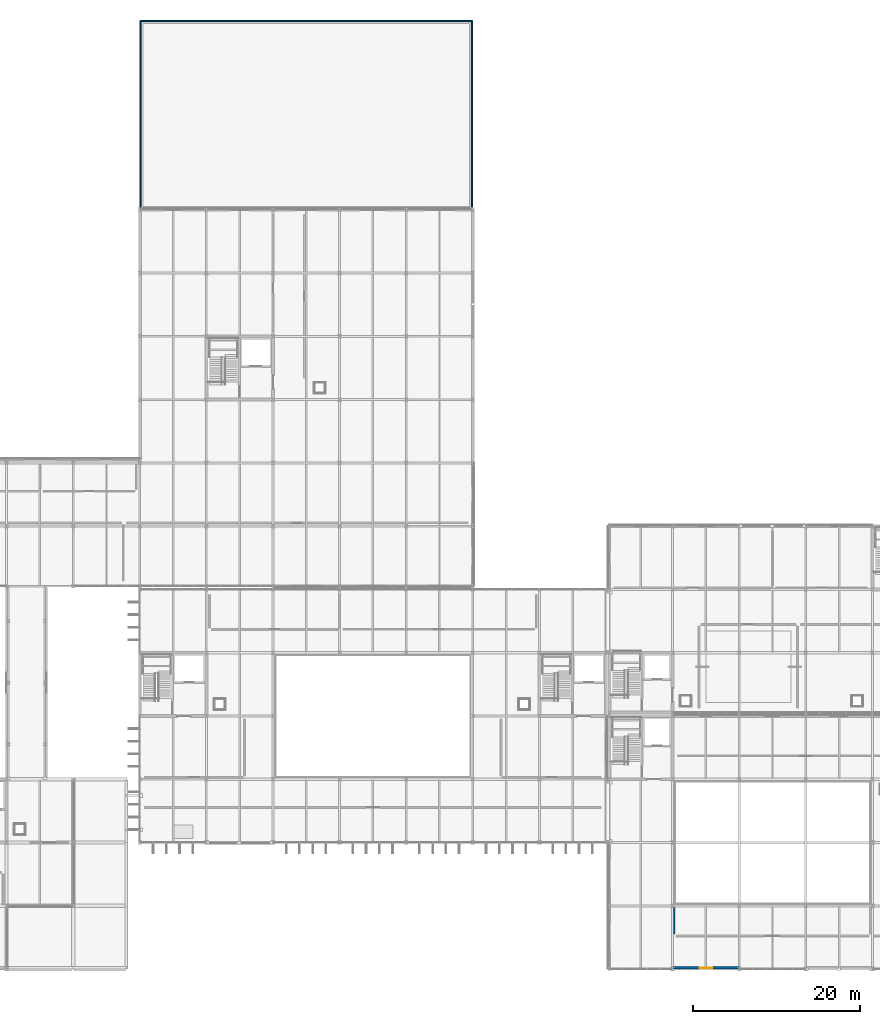
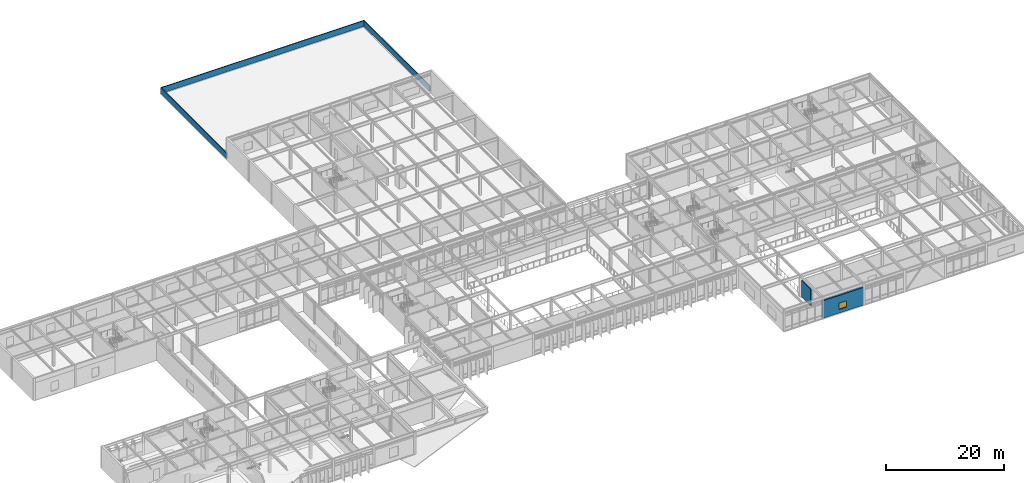
# One storey, part 87 of 104: 5 walls, 1 window, 1 opening.
"""IFC4 building model written with IfcOpenShell, lengths in metres."""

import ifcopenshell
import ifcopenshell.guid

model = None  # the IFC model being written
_history = None  # IfcOwnerHistory: only IFC2X3 demands one
_inside = {}  # id of a spatial element -> (the spatial element, [elements in it])
_under = {}  # id of a project, library or spatial element -> (it, [spatial elements below it])
_declared = {}  # id of a project -> (the project, [libraries it declares])
_typed = {}  # id of a type object -> (the type object, [elements of that type])
_made_of = {}  # id of a material, layer set ... -> (it, [elements and type objects made of it])


def new_model(schema):
    """Start an empty IFC model of exactly this schema.

    Asked for "IFC4X3", IfcOpenShell would pick the latest addendum, in which some entities
    have other attributes; the version numbers below select the first issue.
    IFC2X3 requires an IfcOwnerHistory on every rooted entity: one is made here for all.
    """
    global model, _history
    if schema == "IFC4X3":
        model = ifcopenshell.file(schema_version=(4, 3, 0, 0))
    else:
        model = ifcopenshell.file(schema=schema)
    _inside.clear()
    _under.clear()
    _declared.clear()
    _typed.clear()
    _made_of.clear()
    _history = None
    if model.schema == "IFC2X3":
        org = make("IfcOrganization", Name="unknown")
        user = make(
            "IfcPersonAndOrganization",
            ThePerson=make("IfcPerson", FamilyName="unknown"),
            TheOrganization=org,
        )
        app = make(
            "IfcApplication",
            ApplicationDeveloper=org,
            Version="unknown",
            ApplicationFullName="unknown",
            ApplicationIdentifier="unknown",
        )
        _history = make(
            "IfcOwnerHistory",
            OwningUser=user,
            OwningApplication=app,
            ChangeAction="ADDED",
            CreationDate=0,
        )
    return model


def make(cls, **values):
    """One entity of the class cls with the attributes given. An attribute that is None is left unset."""
    return model.create_entity(
        cls, **{name: value for name, value in values.items() if value is not None}
    )


def rooted(cls, **values):
    """An entity with a GlobalId (a new one), such as an element, a storey or a relation."""
    return make(cls, GlobalId=ifcopenshell.guid.new(), OwnerHistory=_history, **values)


def si_unit(unit_type, name, prefix=None):
    """IfcSIUnit, for example si_unit("LENGTHUNIT", "METRE", prefix="MILLI")."""
    return make("IfcSIUnit", UnitType=unit_type, Prefix=prefix, Name=name)


def assignment(units):
    """IfcUnitAssignment: the units of a project."""
    return None if units is None else make("IfcUnitAssignment", Units=units)


def point(xyz):
    """IfcCartesianPoint."""
    return None if xyz is None else make("IfcCartesianPoint", Coordinates=xyz)


def direction(xyz):
    """IfcDirection."""
    return None if xyz is None else make("IfcDirection", DirectionRatios=xyz)


def frame(location, z_axis=None, x_axis=None):
    """IfcAxis2Placement3D, a coordinate frame: its origin and axes. An axis left out is left unset."""
    return make(
        "IfcAxis2Placement3D",
        Location=point(location),
        Axis=direction(z_axis),
        RefDirection=direction(x_axis),
    )


def frame_2d(location, x_axis=None):
    """IfcAxis2Placement2D, a coordinate frame in the plane: its origin and x axis."""
    return make(
        "IfcAxis2Placement2D", Location=point(location), RefDirection=direction(x_axis)
    )


def origin():
    """The frame at (0, 0, 0) with its axes left unset."""
    return frame((0.0, 0.0, 0.0))


def place(relative_to, where):
    """IfcLocalPlacement: puts the frame where relative to a parent placement (None: the world)."""
    return make(
        "IfcLocalPlacement", PlacementRelTo=relative_to, RelativePlacement=where
    )


def context(
    kind, dimensions, precision=None, world=None, true_north=None, identifier=None
):
    """IfcGeometricRepresentationContext, for example the 3D "Model" context."""
    return make(
        "IfcGeometricRepresentationContext",
        ContextIdentifier=identifier,
        ContextType=kind,
        CoordinateSpaceDimension=dimensions,
        Precision=precision,
        WorldCoordinateSystem=world,
        TrueNorth=true_north,
    )


def subcontext(parent, identifier, kind, view, scale=None):
    """IfcGeometricRepresentationSubContext, for example "Body" below "Model"."""
    return make(
        "IfcGeometricRepresentationSubContext",
        ContextIdentifier=identifier,
        ContextType=kind,
        ParentContext=parent,
        TargetScale=scale,
        TargetView=view,
    )


def project(units=None, contexts=None):
    """IfcProject with its units and contexts."""
    return rooted(
        "IfcProject",
        Name="project",
        RepresentationContexts=contexts,
        UnitsInContext=assignment(units),
    )


def spatial(cls, under=None, at=None, **own):
    """A site, building, storey or space (cls), placed at a placement, below another one or the project."""
    s = rooted(cls, ObjectPlacement=at, **own)
    if under is not None:
        _under.setdefault(under.id(), (under, []))[1].append(s)
    return s


def profile(cls, at=None, kind="AREA", **sizes):
    """A parametric profile (cls). Its sizes go by their IFC names, for example OverallWidth=200.0."""
    return make(cls, ProfileType=kind, Position=at, **sizes)


def rectangle(**sizes):
    """IfcRectangleProfileDef."""
    return profile("IfcRectangleProfileDef", **sizes)


def extrude(swept, where, along, depth):
    """IfcExtrudedAreaSolid: the profile swept, set in the frame where, extruded along a direction by depth."""
    return make(
        "IfcExtrudedAreaSolid",
        SweptArea=swept,
        Position=where,
        ExtrudedDirection=direction(along),
        Depth=depth,
    )


def shape(context_of_items, identifier, shape_type, items):
    """IfcShapeRepresentation: the items that make up one representation, for example the "Body"."""
    return make(
        "IfcShapeRepresentation",
        ContextOfItems=context_of_items,
        RepresentationIdentifier=identifier,
        RepresentationType=shape_type,
        Items=items,
    )


def material(Name=None, Category=None):
    """IfcMaterial."""
    return make("IfcMaterial", Name=Name, Category=Category)


def layer(
    of_material, thickness, ventilated=None, Name=None, Category=None, Priority=None
):
    """IfcMaterialLayer: one layer of a wall or slab, of a material (None: an air gap)."""
    return make(
        "IfcMaterialLayer",
        Material=of_material,
        LayerThickness=thickness,
        IsVentilated=ventilated,
        Name=Name,
        Category=Category,
        Priority=Priority,
    )


def layer_set(layers, Name=None):
    """IfcMaterialLayerSet."""
    return make("IfcMaterialLayerSet", MaterialLayers=layers, LayerSetName=Name)


def made_of(thing, what):
    """Note that an element or type object is made of a material, layer set ...; save() writes the relation."""
    if what is not None:
        _made_of.setdefault(what.id(), (what, []))[1].append(thing)
    return thing


def type_object(cls, material=None, **own):
    """A type object (cls), such as IfcWallType, which elements share."""
    return made_of(rooted(cls, **own), material)


def element(
    cls,
    number,
    at=None,
    inside=None,
    cuts=None,
    type_object=None,
    material=None,
    context=None,
    identifier="Body",
    shape_type=None,
    held_by="IfcProductDefinitionShape",
    body=None,
    shapes=None,
    **own,
):
    """One element of the class cls, such as IfcWall. Its Tag is "e" and its number.

    at: its placement. inside: the storey or other place that contains it. cuts: it is an
    opening in that element (IfcRelVoidsElement). A single representation is given by context,
    identifier, shape_type and body (its items); several are given by shapes. held_by: the class
    of the entity that holds the representations. save() writes the other relations.
    """
    e = rooted(cls, Tag="e%d" % number, ObjectPlacement=at, **own)
    if body is not None:
        shapes = [shape(context, identifier, shape_type, body)]
    if shapes is not None:
        e.Representation = make(held_by, Representations=shapes)
    if inside is not None:
        _inside.setdefault(inside.id(), (inside, []))[1].append(e)
    if cuts is not None:
        rooted(
            "IfcRelVoidsElement", RelatingBuildingElement=cuts, RelatedOpeningElement=e
        )
    if type_object is not None:
        _typed.setdefault(type_object.id(), (type_object, []))[1].append(e)
    return made_of(e, material)


def fill(opening, filler):
    """IfcRelFillsElement: the door or window that sits in an opening."""
    return rooted(
        "IfcRelFillsElement",
        RelatingOpeningElement=opening,
        RelatedBuildingElement=filler,
    )


def aggregate(whole, parts):
    """IfcRelAggregates: a whole, such as a stair, and the parts it consists of."""
    return rooted("IfcRelAggregates", RelatingObject=whole, RelatedObjects=parts)


def save(model, path):
    """Write the relations noted so far, then the file.

    IfcRelAggregates (storeys below a building ...), IfcRelContainedInSpatialStructure (elements
    in a storey), IfcRelDefinesByType, IfcRelAssociatesMaterial and IfcRelDeclares: one each for
    every whole, place, type object, material and project.
    """
    for whole, parts in _under.values():
        aggregate(whole, parts)
    for where, things in _inside.values():
        rooted(
            "IfcRelContainedInSpatialStructure",
            RelatedElements=things,
            RelatingStructure=where,
        )
    for kind, things in _typed.values():
        rooted("IfcRelDefinesByType", RelatedObjects=things, RelatingType=kind)
    for what, things in _made_of.values():
        rooted("IfcRelAssociatesMaterial", RelatedObjects=things, RelatingMaterial=what)
    for by, libraries in _declared.values():
        rooted("IfcRelDeclares", RelatingContext=by, RelatedDefinitions=libraries)
    model.write(path)


model = new_model("IFC4")

# Units and contexts
model_context = context("Model", 3, precision=1e-05, world=origin(), true_north=direction((0.0, 1.0)))
body_context = subcontext(model_context, "Body", "Model", "MODEL_VIEW")
ifc_project = project(units=[si_unit("LENGTHUNIT", "METRE"), si_unit("AREAUNIT", "SQUARE_METRE"), si_unit("VOLUMEUNIT", "CUBIC_METRE"), si_unit("PLANEANGLEUNIT", "RADIAN"), si_unit("MASSUNIT", "GRAM", prefix="KILO")], contexts=[model_context])

# Site, building, storey
site_placement = place(None, origin())
site = spatial("IfcSite", under=ifc_project, at=site_placement, CompositionType="ELEMENT")
building_placement = place(site_placement, origin())
building = spatial("IfcBuilding", under=site, at=building_placement, Name="Zulena Civic Courthouse", CompositionType="ELEMENT")
storey_placement = place(building_placement, frame((0.0, 0.0, 10.800048828125)))
storey = spatial("IfcBuildingStorey", under=building, at=storey_placement, Name="L02", CompositionType="ELEMENT", Elevation=10.800048828125)

# Wall, opening, window
ifc_material_1 = material(Name="Terracotta-rose architectural precast concrete C40/50", Category="masonry")
ifc_layer_1 = layer(ifc_material_1, 0.320068359375)
ifc_layer_set_1 = layer_set([ifc_layer_1], Name="Terracotta-rose architectural precast concrete C40/50")
wall_type_1 = type_object("IfcWallType", Name="ExtWall_TerraPrecast_320", PredefinedType="STANDARD", material=ifc_layer_set_1)
wall_1_placement = place(storey_placement, frame((140.02001953125, 0.159912109375, 0.0), z_axis=(0.0, 0.0, 1.0), x_axis=(-1.0, 0.0, 0.0)))
wall_1 = element("IfcWall", 1, at=wall_1_placement, inside=storey, type_object=wall_type_1, Name="ewall:V1:L02:3:4", PredefinedType="STANDARD", context=body_context, shape_type="SweptSolid", body=[
    extrude(rectangle(XDim=8.0400390625, YDim=0.320068359375, at=frame_2d((4.02001953125, 0.0))), origin(), (0.0, 0.0, 1.0), 3.659912109375),
])
opening_placement = place(wall_1_placement, frame((3.27001953125, 0.0, 0.75)))
opening = element("IfcOpeningElement", 2, at=opening_placement, cuts=wall_1, Name="Opening WN30", PredefinedType="OPENING", context=body_context, shape_type="SweptSolid", body=[
    extrude(rectangle(XDim=1.5, YDim=1.300048828125, at=frame_2d((0.75, 0.64990234375))), frame((0.0, 0.169921875, 0.0), z_axis=(0.0, -1.0, 0.0), x_axis=(1.0, 0.0, 0.0)), (0.0, 0.0, 1.0), 0.340087890625),
])
ifc_material_2 = material(Name="Double-silver low-E laminated solar-control glass", Category="glass")
window_type = type_object("IfcWindowType", Name="Win_1500x1300", PartitioningType="SINGLE_PANEL", PredefinedType="WINDOW", material=ifc_material_2)
window_placement = place(opening_placement, origin())
window = element("IfcWindow", 3, at=window_placement, inside=storey, type_object=window_type, Name="win:V1:L02:3:4", OverallHeight=1.300048828125, OverallWidth=1.5, PartitioningType="SINGLE_PANEL", PredefinedType="WINDOW", context=body_context, shape_type="SweptSolid", body=[
    extrude(rectangle(XDim=1.5, YDim=1.300048828125, at=frame_2d((0.75, 0.64990234375))), frame((0.0, 0.030029296875, 0.0), z_axis=(0.0, -1.0, 0.0), x_axis=(1.0, 0.0, 0.0)), (0.0, 0.0, 1.0), 0.06005859375),
])
fill(opening, window)

# Walls
ifc_material_3 = material(Name="Buff architectural precast concrete C40/50", Category="concrete")
ifc_layer_2 = layer(ifc_material_3, 0.169921875)
ifc_layer_set_2 = layer_set([ifc_layer_2], Name="Buff architectural precast concrete C40/50")
wall_type_2 = type_object("IfcWallType", Name="Parapet_Buff_170", PredefinedType="PARAPET", material=ifc_layer_set_2)
wall_2_placement = place(storey_placement, frame((68.10009765625, 91.5, 0.0), z_axis=(0.0, 0.0, 1.0), x_axis=(0.0, 1.0, 0.0)))
element("IfcWall", 4, at=wall_2_placement, inside=storey, type_object=wall_type_2, Name="parapet:V5SP:0", PredefinedType="PARAPET", context=body_context, shape_type="SweptSolid", body=[
    extrude(rectangle(XDim=22.39990234375, YDim=0.169921875, at=frame_2d((11.199951171875, 0.0))), origin(), (0.0, 0.0, 1.0), 1.199951171875),
])
wall_3_placement = place(storey_placement, frame((68.10009765625, 113.89990234375, 0.0), z_axis=(0.0, 0.0, 1.0), x_axis=(1.0, 0.0, 0.0)))
element("IfcWall", 5, at=wall_3_placement, inside=storey, type_object=wall_type_2, Name="parapet:V5SP:1", PredefinedType="PARAPET", context=body_context, shape_type="SweptSolid", body=[
    extrude(rectangle(XDim=39.7998046875, YDim=0.169921875, at=frame_2d((19.89990234375, 0.0))), origin(), (0.0, 0.0, 1.0), 1.199951171875),
])
wall_4_placement = place(storey_placement, frame((107.89990234375, 113.89990234375, 0.0), z_axis=(0.0, 0.0, 1.0), x_axis=(0.0, -1.0, 0.0)))
element("IfcWall", 6, at=wall_4_placement, inside=storey, type_object=wall_type_2, Name="parapet:V5SP:2", PredefinedType="PARAPET", context=body_context, shape_type="SweptSolid", body=[
    extrude(rectangle(XDim=22.39990234375, YDim=0.169921875, at=frame_2d((11.199951171875, 0.0))), origin(), (0.0, 0.0, 1.0), 1.199951171875),
])
ifc_material_4 = material(Name="Acoustic fire-rated gypsum board assembly", Category="masonry")
ifc_layer_3 = layer(ifc_material_4, 0.177978515625)
ifc_layer_set_3 = layer_set([ifc_layer_3], Name="Acoustic fire-rated gypsum board assembly")
wall_type_3 = type_object("IfcWallType", Name="PartWall_Corridor_178", PredefinedType="PARTITIONING", material=ifc_layer_set_3)
wall_5_placement = place(storey_placement, frame((132.199951171875, 4.219970703125, 0.0), z_axis=(0.0, 0.0, 1.0), x_axis=(0.0, 1.0, 0.0)))
element("IfcWall", 7, at=wall_5_placement, inside=storey, type_object=wall_type_3, Name="pwall:L02:222:1", PredefinedType="PARTITIONING", context=body_context, shape_type="SweptSolid", body=[
    extrude(rectangle(XDim=3.159912109375, YDim=0.177978515625, at=frame_2d((1.580078125, 0.0))), origin(), (0.0, 0.0, 1.0), 3.449951171875),
])

save(model, "model.ifc")
